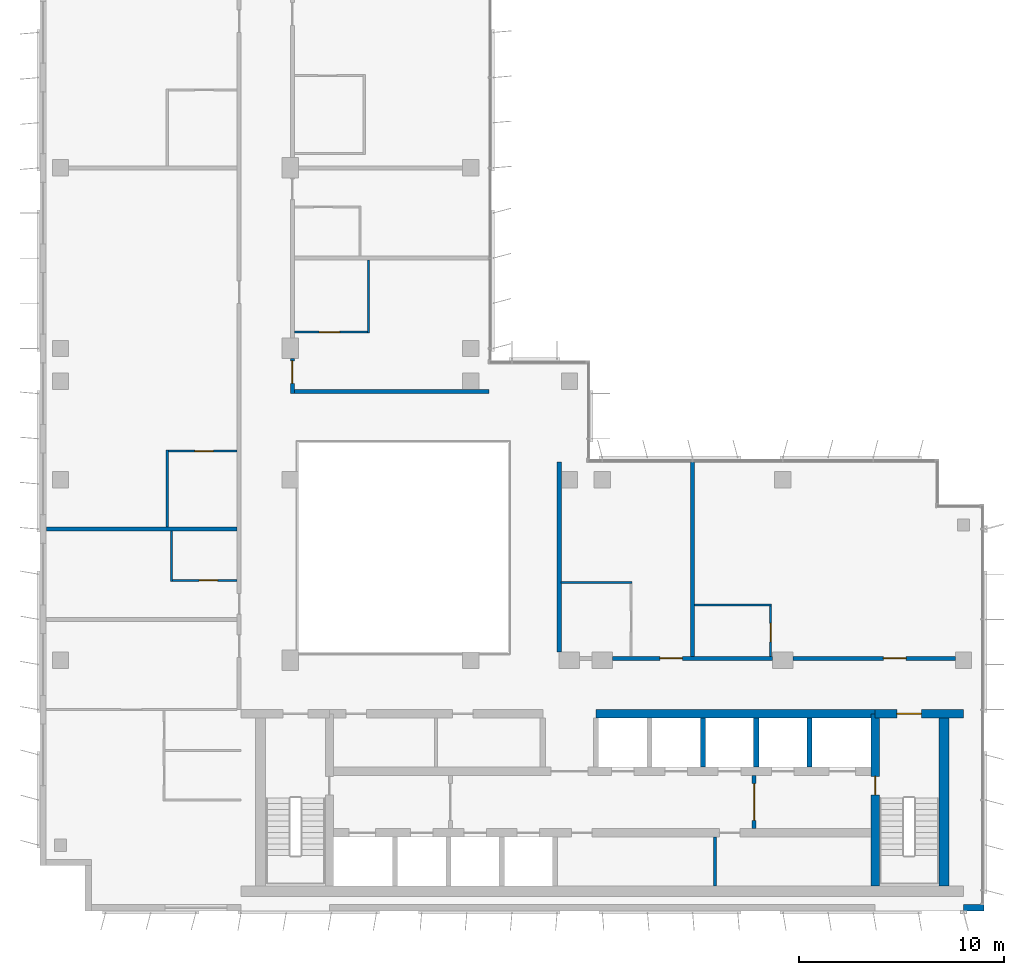
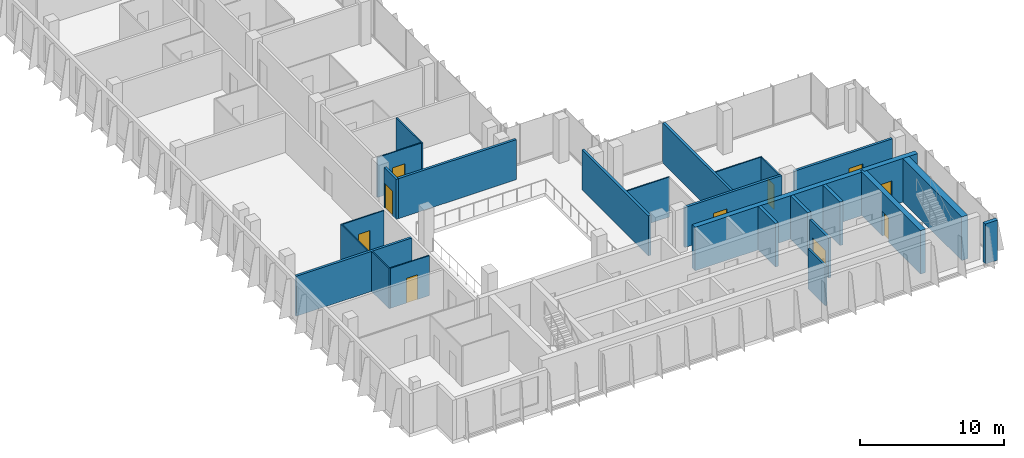
# One storey, part 10 of 15: 26 walls, 10 doors, 10 openings.
"""IFC4 building model written with IfcOpenShell, lengths in metres."""

from ifc_helpers import new_model, si_unit, direction, frame, frame_2d, origin, place, context, subcontext, project, spatial, rectangle, extrude, material, layer, layer_set, type_object, element, fill, save


model = new_model("IFC4")

# Units and contexts
model_context = context("Model", 3, precision=1e-05, world=origin(), true_north=direction((0.0, 1.0)))
body_context = subcontext(model_context, "Body", "Model", "MODEL_VIEW")
ifc_project = project(units=[si_unit("LENGTHUNIT", "METRE"), si_unit("AREAUNIT", "SQUARE_METRE"), si_unit("VOLUMEUNIT", "CUBIC_METRE"), si_unit("PLANEANGLEUNIT", "RADIAN"), si_unit("MASSUNIT", "GRAM", prefix="KILO")], contexts=[model_context])

# Site, building, storey
site_placement = place(None, origin())
site = spatial("IfcSite", under=ifc_project, at=site_placement, CompositionType="ELEMENT")
building_placement = place(site_placement, origin())
building = spatial("IfcBuilding", under=site, at=building_placement, Name="Kemantara Hotel Tower", CompositionType="ELEMENT")
storey_placement = place(building_placement, frame((0.0, 0.0, 230.199951171875)))
storey = spatial("IfcBuildingStorey", under=building, at=storey_placement, Name="L57", CompositionType="ELEMENT", Elevation=230.199951171875)

# Walls
ifc_material_1 = material(Name="Bronze anodised aluminium cladding on insulated steel stud wall", Category="steel")
ifc_layer_1 = layer(ifc_material_1, 0.300048828125)
ifc_layer_set_1 = layer_set([ifc_layer_1], Name="Bronze anodised aluminium cladding on insulated steel stud wall")
wall_type_1 = type_object("IfcWallType", Name="BRONZE METAL-CLAD EXTERNAL WALL 300", PredefinedType="STANDARD", material=ifc_layer_set_1)
wall_1_placement = place(storey_placement, frame((45.0, 0.14990234375, 0.0), z_axis=(0.0, 0.0, 1.0), x_axis=(1.0, 0.0, 0.0)))
element("IfcWall", 1, at=wall_1_placement, inside=storey, type_object=wall_type_1, Name="EXTERNAL WALL L57 T4-R08-3", PredefinedType="STANDARD", context=body_context, shape_type="SweptSolid", body=[
    extrude(rectangle(XDim=1.0, YDim=0.300048828125, at=frame_2d((0.5, 0.0))), origin(), (0.0, 0.0, 1.0), 3.400146484375),
])
ifc_material_2 = material(Name="Concrete fc 60 MPa", Category="concrete")
ifc_layer_2 = layer(ifc_material_2, 0.25)
ifc_layer_set_2 = layer_set([ifc_layer_2], Name="Concrete fc 60 MPa")
wall_type_2 = type_object("IfcWallType", Name="CORE WALL 250 FC60", PredefinedType="SHEAR", material=ifc_layer_set_2)
for number, where, z_axis, x_axis, name in (
    (2, (32.300048828125, 7.0, 0.0), (0.0, 0.0, 1.0), (0.0, 1.0, 0.0), "CORE WALL CW-DN32.3"),
    (3, (34.89990234375, 7.0, 0.0), (0.0, 0.0, 1.0), (0.0, 1.0, 0.0), "CORE WALL CW-DN34.9"),
    (4, (37.5, 7.0, 0.0), (0.0, 0.0, 1.0), (0.0, 1.0, 0.0), "CORE WALL CW-DN37.5"),
):
    element("IfcWall", number, at=place(storey_placement, frame(where, z_axis=z_axis, x_axis=x_axis)), inside=storey, type_object=wall_type_2, Name=name, PredefinedType="SHEAR", context=body_context, shape_type="SweptSolid", body=[
        extrude(rectangle(XDim=2.39990234375, YDim=0.25, at=frame_2d((1.199951171875, 0.0))), origin(), (0.0, 0.0, 1.0), 3.699951171875),
    ])

# Wall, opening, door
ifc_layer_3 = layer(ifc_material_2, 0.39990234375)
ifc_layer_set_3 = layer_set([ifc_layer_3], Name="Concrete fc 60 MPa")
wall_type_3 = type_object("IfcWallType", Name="CORE WALL 400 FC60", PredefinedType="SHEAR", material=ifc_layer_set_3)
wall_2_placement = place(storey_placement, frame((40.699951171875, 9.60009765625, 0.0), z_axis=(0.0, 0.0, 1.0), x_axis=(1.0, 0.0, 0.0)))
wall_2 = element("IfcWall", 5, at=wall_2_placement, inside=storey, type_object=wall_type_3, Name="CORE WALL CW-N2", PredefinedType="SHEAR", context=body_context, shape_type="SweptSolid", body=[
    extrude(rectangle(XDim=4.300048828125, YDim=0.39990234375, at=frame_2d((2.14990234375, 0.0))), origin(), (0.0, 0.0, 1.0), 3.699951171875),
])
opening_1_placement = place(wall_2_placement, frame((1.050048828125, 0.0, 0.0)))
opening_1 = element("IfcOpeningElement", 6, at=opening_1_placement, cuts=wall_2, Name="Opening C35-ST2-C", PredefinedType="OPENING", context=body_context, shape_type="SweptSolid", body=[
    extrude(rectangle(XDim=1.199951171875, YDim=2.10009765625, at=frame_2d((0.60009765625, 1.050048828125))), frame((0.0, 0.2099609375, 0.0), z_axis=(0.0, -1.0, 0.0), x_axis=(1.0, 0.0, 0.0)), (0.0, 0.0, 1.0), 0.419921875),
])
ifc_material_3 = material(Name="Steel fire door", Category="steel")
door_type_1 = type_object("IfcDoorType", Name="Fire door FD90 1200 x 2100", OperationType="NOTDEFINED", PredefinedType="DOOR", material=ifc_material_3)
door_1_placement = place(opening_1_placement, frame((1.199951171875, 0.0, 0.0), z_axis=(0.0, 0.0, 1.0), x_axis=(-1.0, 0.0, 0.0)))
door_1 = element("IfcDoor", 7, at=door_1_placement, inside=storey, type_object=door_type_1, Name="Stair ST2 door to corridor", OperationType="SINGLE_SWING_RIGHT", OverallHeight=2.10009765625, OverallWidth=1.199951171875, PredefinedType="DOOR", context=body_context, shape_type="SweptSolid", body=[
    extrude(rectangle(XDim=1.199951171875, YDim=2.10009765625, at=frame_2d((0.60009765625, 1.050048828125))), frame((0.0, 0.02490234375, 0.0), z_axis=(0.0, -1.0, 0.0), x_axis=(1.0, 0.0, 0.0)), (0.0, 0.0, 1.0), 0.050048828125),
])
fill(opening_1, door_1)

# Wall
wall_3_placement = place(storey_placement, frame((27.10009765625, 9.60009765625, 0.0), z_axis=(0.0, 0.0, 1.0), x_axis=(1.0, 0.0, 0.0)))
element("IfcWall", 8, at=wall_3_placement, inside=storey, type_object=wall_type_3, Name="CORE WALL CW-NN2", PredefinedType="SHEAR", context=body_context, shape_type="SweptSolid", body=[
    extrude(rectangle(XDim=13.599853515625, YDim=0.39990234375, at=frame_2d((6.7998046875, 0.0))), origin(), (0.0, 0.0, 1.0), 3.699951171875),
])

# Wall, opening, door
wall_4_placement = place(storey_placement, frame((40.699951171875, 1.199951171875, 0.0), z_axis=(0.0, 0.0, 1.0), x_axis=(0.0, 1.0, 0.0)))
wall_4 = element("IfcWall", 9, at=wall_4_placement, inside=storey, type_object=wall_type_3, Name="CORE WALL CW-ST2W", PredefinedType="SHEAR", context=body_context, shape_type="SweptSolid", body=[
    extrude(rectangle(XDim=8.400146484375, YDim=0.39990234375, at=frame_2d((4.2001953125, 0.0))), origin(), (0.0, 0.0, 1.0), 3.699951171875),
])
opening_2_placement = place(wall_4_placement, frame((4.449951171875, 0.0, 0.0)))
opening_2 = element("IfcOpeningElement", 10, at=opening_2_placement, cuts=wall_4, Name="Opening C35-ST2-F", PredefinedType="OPENING", context=body_context, shape_type="SweptSolid", body=[
    extrude(rectangle(XDim=0.89990234375, YDim=2.10009765625, at=frame_2d((0.449951171875, 1.050048828125))), frame((0.0, 0.2099609375, 0.0), z_axis=(0.0, -1.0, 0.0), x_axis=(1.0, 0.0, 0.0)), (0.0, 0.0, 1.0), 0.419921875),
])
door_type_2 = type_object("IfcDoorType", Name="Fire door FD90 900 x 2100", OperationType="NOTDEFINED", PredefinedType="DOOR", material=ifc_material_3)
door_2_placement = place(opening_2_placement, frame((0.89990234375, 0.0, 0.0), z_axis=(0.0, 0.0, 1.0), x_axis=(-1.0, 0.0, 0.0)))
door_2 = element("IfcDoor", 11, at=door_2_placement, inside=storey, type_object=door_type_2, Name="Stair ST2 door to firefighting lobby", OperationType="SINGLE_SWING_LEFT", OverallHeight=2.10009765625, OverallWidth=0.89990234375, PredefinedType="DOOR", context=body_context, shape_type="SweptSolid", body=[
    extrude(rectangle(XDim=0.89990234375, YDim=2.10009765625, at=frame_2d((0.449951171875, 1.050048828125))), frame((0.0, 0.02490234375, 0.0), z_axis=(0.0, -1.0, 0.0), x_axis=(1.0, 0.0, 0.0)), (0.0, 0.0, 1.0), 0.050048828125),
])
fill(opening_2, door_2)

# Wall
ifc_layer_4 = layer(ifc_material_2, 0.5)
ifc_layer_set_4 = layer_set([ifc_layer_4], Name="Concrete fc 60 MPa")
wall_type_4 = type_object("IfcWallType", Name="CORE WALL 500 FC60", PredefinedType="SHEAR", material=ifc_layer_set_4)
wall_5_placement = place(storey_placement, frame((44.050048828125, 1.199951171875, 0.0), z_axis=(0.0, 0.0, 1.0), x_axis=(0.0, 1.0, 0.0)))
element("IfcWall", 12, at=wall_5_placement, inside=storey, type_object=wall_type_4, Name="CORE WALL CW-E", PredefinedType="SHEAR", context=body_context, shape_type="SweptSolid", body=[
    extrude(rectangle(XDim=8.60009765625, YDim=0.5, at=frame_2d((4.300048828125, 0.0))), origin(), (0.0, 0.0, 1.0), 3.699951171875),
])

# Wall, opening, door
ifc_material_4 = material(Name="Gypsum board partition, steel studs and mineral wool, 200 mm", Category="steel")
ifc_layer_5 = layer(ifc_material_4, 0.199951171875)
ifc_layer_set_5 = layer_set([ifc_layer_5], Name="Gypsum board partition, steel studs and mineral wool, 200 mm")
wall_type_5 = type_object("IfcWallType", Name="CORRIDOR WALL 200", PredefinedType="PARTITIONING", material=ifc_layer_set_5)
wall_6_placement = place(storey_placement, frame((27.900146484375, 12.300048828125, 0.0), z_axis=(0.0, 0.0, 1.0), x_axis=(1.0, 0.0, 0.0)))
wall_6 = element("IfcWall", 13, at=wall_6_placement, inside=storey, type_object=wall_type_5, Name="CORRIDOR WALL 200 002", PredefinedType="PARTITIONING", context=body_context, shape_type="SweptSolid", body=[
    extrude(rectangle(XDim=7.7998046875, YDim=0.199951171875, at=frame_2d((3.89990234375, 0.0))), origin(), (0.0, 0.0, 1.0), 3.400146484375),
])
opening_3_placement = place(wall_6_placement, frame((2.2998046875, 0.0, 0.0)))
opening_3 = element("IfcOpeningElement", 14, at=opening_3_placement, cuts=wall_6, Name="Opening F28-001", PredefinedType="OPENING", context=body_context, shape_type="SweptSolid", body=[
    extrude(rectangle(XDim=1.10009765625, YDim=2.10009765625, at=frame_2d((0.550048828125, 1.050048828125))), frame((0.0, 0.10986328125, 0.0), z_axis=(0.0, -1.0, 0.0), x_axis=(1.0, 0.0, 0.0)), (0.0, 0.0, 1.0), 0.219970703125),
])
ifc_material_5 = material(Name="Hardwood veneer door leaf with steel frame", Category="steel")
door_type_3 = type_object("IfcDoorType", Name="GUEST ROOM DOOR 1100 X 2100 FD30S", OperationType="NOTDEFINED", PredefinedType="DOOR", material=ifc_material_5)
door_3_placement = place(opening_3_placement, origin())
door_3 = element("IfcDoor", 15, at=door_3_placement, inside=storey, type_object=door_type_3, Name="GUEST ROOM DOOR F28-001", OperationType="SINGLE_SWING_RIGHT", OverallHeight=2.10009765625, OverallWidth=1.10009765625, PredefinedType="DOOR", context=body_context, shape_type="SweptSolid", body=[
    extrude(rectangle(XDim=1.10009765625, YDim=2.10009765625, at=frame_2d((0.550048828125, 1.050048828125))), frame((0.0, 0.02490234375, 0.0), z_axis=(0.0, -1.0, 0.0), x_axis=(1.0, 0.0, 0.0)), (0.0, 0.0, 1.0), 0.050048828125),
])
fill(opening_3, door_3)

wall_7_placement = place(storey_placement, frame((36.7001953125, 12.300048828125, 0.0), z_axis=(0.0, 0.0, 1.0), x_axis=(1.0, 0.0, 0.0)))
wall_7 = element("IfcWall", 16, at=wall_7_placement, inside=storey, type_object=wall_type_5, Name="CORRIDOR WALL 200 003", PredefinedType="PARTITIONING", context=body_context, shape_type="SweptSolid", body=[
    extrude(rectangle(XDim=7.899658203125, YDim=0.199951171875, at=frame_2d((3.94970703125, 0.0))), origin(), (0.0, 0.0, 1.0), 3.400146484375),
])
opening_4_placement = place(wall_7_placement, frame((4.39990234375, 0.0, 0.0)))
opening_4 = element("IfcOpeningElement", 17, at=opening_4_placement, cuts=wall_7, Name="Opening F28-003", PredefinedType="OPENING", context=body_context, shape_type="SweptSolid", body=[
    extrude(rectangle(XDim=1.10009765625, YDim=2.10009765625, at=frame_2d((0.550048828125, 1.050048828125))), frame((0.0, 0.10986328125, 0.0), z_axis=(0.0, -1.0, 0.0), x_axis=(1.0, 0.0, 0.0)), (0.0, 0.0, 1.0), 0.219970703125),
])
door_type_4 = type_object("IfcDoorType", Name="SUITE ENTRANCE DOOR 1100 X 2100 FD30S", OperationType="NOTDEFINED", PredefinedType="DOOR", material=ifc_material_5)
door_4_placement = place(opening_4_placement, origin())
door_4 = element("IfcDoor", 18, at=door_4_placement, inside=storey, type_object=door_type_4, Name="SUITE ENTRANCE DOOR F28-003", OperationType="SINGLE_SWING_RIGHT", OverallHeight=2.10009765625, OverallWidth=1.10009765625, PredefinedType="DOOR", context=body_context, shape_type="SweptSolid", body=[
    extrude(rectangle(XDim=1.10009765625, YDim=2.10009765625, at=frame_2d((0.550048828125, 1.050048828125))), frame((0.0, 0.02490234375, 0.0), z_axis=(0.0, -1.0, 0.0), x_axis=(1.0, 0.0, 0.0)), (0.0, 0.0, 1.0), 0.050048828125),
])
fill(opening_4, door_4)

wall_8_placement = place(storey_placement, frame((12.300048828125, 26.89990234375, 0.0), z_axis=(0.0, 0.0, 1.0), x_axis=(0.0, -1.0, 0.0)))
wall_8 = element("IfcWall", 19, at=wall_8_placement, inside=storey, type_object=wall_type_5, Name="CORRIDOR WALL 200 015", PredefinedType="PARTITIONING", context=body_context, shape_type="SweptSolid", body=[
    extrude(rectangle(XDim=1.699951171875, YDim=0.199951171875, at=frame_2d((0.85009765625, 0.0))), origin(), (0.0, 0.0, 1.0), 3.400146484375),
])
opening_5_placement = place(wall_8_placement, frame((0.099853515625, 0.0, 0.0)))
opening_5 = element("IfcOpeningElement", 20, at=opening_5_placement, cuts=wall_8, Name="Opening F28-019", PredefinedType="OPENING", context=body_context, shape_type="SweptSolid", body=[
    extrude(rectangle(XDim=1.10009765625, YDim=2.10009765625, at=frame_2d((0.550048828125, 1.050048828125))), frame((0.0, 0.10986328125, 0.0), z_axis=(0.0, -1.0, 0.0), x_axis=(1.0, 0.0, 0.0)), (0.0, 0.0, 1.0), 0.219970703125),
])
door_5_placement = place(opening_5_placement, origin())
door_5 = element("IfcDoor", 21, at=door_5_placement, inside=storey, type_object=door_type_3, Name="GUEST ROOM DOOR F28-019", OperationType="SINGLE_SWING_RIGHT", OverallHeight=2.10009765625, OverallWidth=1.10009765625, PredefinedType="DOOR", context=body_context, shape_type="SweptSolid", body=[
    extrude(rectangle(XDim=1.10009765625, YDim=2.10009765625, at=frame_2d((0.550048828125, 1.050048828125))), frame((0.0, 0.02490234375, 0.0), z_axis=(0.0, -1.0, 0.0), x_axis=(1.0, 0.0, 0.0)), (0.0, 0.0, 1.0), 0.050048828125),
])
fill(opening_5, door_5)

# Walls
ifc_layer_6 = layer(ifc_material_4, 0.199951171875)
ifc_layer_set_6 = layer_set([ifc_layer_6], Name="Gypsum board partition, steel studs and mineral wool, 200 mm")
wall_type_6 = type_object("IfcWallType", Name="GUEST ROOM PARTY WALL 200", PredefinedType="PARTITIONING", material=ifc_layer_set_6)
wall_9_placement = place(storey_placement, frame((25.300048828125, 12.60009765625, 0.0), z_axis=(0.0, 0.0, 1.0), x_axis=(0.0, 1.0, 0.0)))
element("IfcWall", 22, at=wall_9_placement, inside=storey, type_object=wall_type_6, Name="GUEST ROOM PARTY WALL 200 004", PredefinedType="PARTITIONING", context=body_context, shape_type="SweptSolid", body=[
    extrude(rectangle(XDim=9.27001953125, YDim=0.199951171875, at=frame_2d((4.635009765625, 0.0))), origin(), (0.0, 0.0, 1.0), 3.400146484375),
])
wall_10_placement = place(storey_placement, frame((31.800048828125, 12.39990234375, 0.0), z_axis=(0.0, 0.0, 1.0), x_axis=(0.0, 1.0, 0.0)))
element("IfcWall", 23, at=wall_10_placement, inside=storey, type_object=wall_type_6, Name="GUEST ROOM PARTY WALL 200 005", PredefinedType="PARTITIONING", context=body_context, shape_type="SweptSolid", body=[
    extrude(rectangle(XDim=9.47021484375, YDim=0.199951171875, at=frame_2d((4.735107421875, 0.0))), origin(), (0.0, 0.0, 1.0), 3.400146484375),
])
wall_11_placement = place(storey_placement, frame((0.31005859375, 18.60009765625, 0.0), z_axis=(0.0, 0.0, 1.0), x_axis=(1.0, 0.0, 0.0)))
element("IfcWall", 24, at=wall_11_placement, inside=storey, type_object=wall_type_6, Name="GUEST ROOM PARTY WALL 200 009", PredefinedType="PARTITIONING", context=body_context, shape_type="SweptSolid", body=[
    extrude(rectangle(XDim=9.2900390625, YDim=0.199951171875, at=frame_2d((4.64501953125, 0.0))), origin(), (0.0, 0.0, 1.0), 3.400146484375),
])
wall_12_placement = place(storey_placement, frame((12.39990234375, 25.300048828125, 0.0), z_axis=(0.0, 0.0, 1.0), x_axis=(1.0, 0.0, 0.0)))
element("IfcWall", 25, at=wall_12_placement, inside=storey, type_object=wall_type_6, Name="GUEST ROOM PARTY WALL 200 020", PredefinedType="PARTITIONING", context=body_context, shape_type="SweptSolid", body=[
    extrude(rectangle(XDim=9.47021484375, YDim=0.199951171875, at=frame_2d((4.735107421875, 0.0))), origin(), (0.0, 0.0, 1.0), 3.400146484375),
])
ifc_material_6 = material(Name="Gypsum board partition")
ifc_layer_7 = layer(ifc_material_6, 0.14990234375)
ifc_layer_set_7 = layer_set([ifc_layer_7], Name="Gypsum board partition")
wall_type_7 = type_object("IfcWallType", Name="Gypsum board partition 150 mm", PredefinedType="PARTITIONING", material=ifc_layer_set_7)
wall_13_placement = place(storey_placement, frame((32.89990234375, 1.199951171875, 0.0), z_axis=(0.0, 0.0, 1.0), x_axis=(0.0, 1.0, 0.0)))
element("IfcWall", 26, at=wall_13_placement, inside=storey, type_object=wall_type_7, Name="Core room partition", PredefinedType="PARTITIONING", context=body_context, shape_type="SweptSolid", body=[
    extrude(rectangle(XDim=2.400146484375, YDim=0.14990234375, at=frame_2d((1.2001953125, 0.0))), origin(), (0.0, 0.0, 1.0), 3.400146484375),
])

# Wall, opening, door
ifc_material_7 = material(Name="Gypsum board shaft wall")
ifc_layer_8 = layer(ifc_material_7, 0.199951171875)
ifc_layer_set_8 = layer_set([ifc_layer_8], Name="Gypsum board shaft wall")
wall_type_8 = type_object("IfcWallType", Name="Gypsum board shaft wall 200 mm", PredefinedType="PARTITIONING", material=ifc_layer_set_8)
wall_14_placement = place(storey_placement, frame((34.800048828125, 4.0, 0.0), z_axis=(0.0, 0.0, 1.0), x_axis=(0.0, 1.0, 0.0)))
wall_14 = element("IfcWall", 27, at=wall_14_placement, inside=storey, type_object=wall_type_8, Name="Firefighting lobby partition east", PredefinedType="PARTITIONING", context=body_context, shape_type="SweptSolid", body=[
    extrude(rectangle(XDim=2.60009765625, YDim=0.199951171875, at=frame_2d((1.300048828125, 0.0))), origin(), (0.0, 0.0, 1.0), 3.400146484375),
])
opening_6_placement = place(wall_14_placement, frame((0.39990234375, 0.0, 0.0)))
opening_6 = element("IfcOpeningElement", 28, at=opening_6_placement, cuts=wall_14, Name="Opening C35-FFE", PredefinedType="OPENING", context=body_context, shape_type="SweptSolid", body=[
    extrude(rectangle(XDim=1.800048828125, YDim=2.10009765625, at=frame_2d((0.89990234375, 1.050048828125))), frame((0.0, 0.10986328125, 0.0), z_axis=(0.0, -1.0, 0.0), x_axis=(1.0, 0.0, 0.0)), (0.0, 0.0, 1.0), 0.219970703125),
])
door_type_5 = type_object("IfcDoorType", Name="Fire door pair FD60 1800 x 2100", OperationType="DOUBLE_DOOR_SINGLE_SWING", PredefinedType="DOOR", material=ifc_material_3)
door_6_placement = place(opening_6_placement, frame((1.800048828125, 0.0, 0.0), z_axis=(0.0, 0.0, 1.0), x_axis=(-1.0, 0.0, 0.0)))
door_6 = element("IfcDoor", 29, at=door_6_placement, inside=storey, type_object=door_type_5, Name="Firefighting lobby door east", OperationType="DOUBLE_DOOR_SINGLE_SWING", OverallHeight=2.10009765625, OverallWidth=1.800048828125, PredefinedType="DOOR", context=body_context, shape_type="SweptSolid", body=[
    extrude(rectangle(XDim=1.800048828125, YDim=2.10009765625, at=frame_2d((0.89990234375, 1.050048828125))), frame((0.0, 0.02490234375, 0.0), z_axis=(0.0, -1.0, 0.0), x_axis=(1.0, 0.0, 0.0)), (0.0, 0.0, 1.0), 0.050048828125),
])
fill(opening_6, door_6)

# Walls
ifc_material_8 = material(Name="Gypsum board partition on steel studs, 100 mm", Category="steel")
ifc_layer_9 = layer(ifc_material_8, 0.10009765625)
ifc_layer_set_9 = layer_set([ifc_layer_9], Name="Gypsum board partition on steel studs, 100 mm")
wall_type_9 = type_object("IfcWallType", Name="ROOM PARTITION 100", PredefinedType="PARTITIONING", material=ifc_layer_set_9)
wall_15_placement = place(storey_placement, frame((25.39990234375, 16.0, 0.0), z_axis=(0.0, 0.0, 1.0), x_axis=(1.0, 0.0, 0.0)))
element("IfcWall", 30, at=wall_15_placement, inside=storey, type_object=wall_type_9, Name="ROOM PARTITION 100 023", PredefinedType="PARTITIONING", context=body_context, shape_type="SweptSolid", body=[
    extrude(rectangle(XDim=3.4501953125, YDim=0.10009765625, at=frame_2d((1.72509765625, 0.0))), origin(), (0.0, 0.0, 1.0), 3.400146484375),
])
wall_16_placement = place(storey_placement, frame((31.89990234375, 14.89990234375, 0.0), z_axis=(0.0, 0.0, 1.0), x_axis=(1.0, 0.0, 0.0)))
element("IfcWall", 31, at=wall_16_placement, inside=storey, type_object=wall_type_9, Name="ROOM PARTITION 100 025", PredefinedType="PARTITIONING", context=body_context, shape_type="SweptSolid", body=[
    extrude(rectangle(XDim=3.75, YDim=0.10009765625, at=frame_2d((1.875, 0.0))), origin(), (0.0, 0.0, 1.0), 3.400146484375),
])

# Wall, opening, door
wall_17_placement = place(storey_placement, frame((35.60009765625, 12.39990234375, 0.0), z_axis=(0.0, 0.0, 1.0), x_axis=(0.0, 1.0, 0.0)))
wall_17 = element("IfcWall", 32, at=wall_17_placement, inside=storey, type_object=wall_type_9, Name="ROOM PARTITION 100 026", PredefinedType="PARTITIONING", context=body_context, shape_type="SweptSolid", body=[
    extrude(rectangle(XDim=2.4501953125, YDim=0.10009765625, at=frame_2d((1.22509765625, 0.0))), origin(), (0.0, 0.0, 1.0), 3.400146484375),
])
opening_7_placement = place(wall_17_placement, frame((0.699951171875, 0.0, 0.0)))
opening_7 = element("IfcOpeningElement", 33, at=opening_7_placement, cuts=wall_17, Name="Opening F28-004", PredefinedType="OPENING", context=body_context, shape_type="SweptSolid", body=[
    extrude(rectangle(XDim=0.89990234375, YDim=2.10009765625, at=frame_2d((0.449951171875, 1.050048828125))), frame((0.0, 0.06005859375, 0.0), z_axis=(0.0, -1.0, 0.0), x_axis=(1.0, 0.0, 0.0)), (0.0, 0.0, 1.0), 0.1201171875),
])
door_type_6 = type_object("IfcDoorType", Name="BATHROOM DOOR 900 X 2100", OperationType="NOTDEFINED", PredefinedType="DOOR", material=ifc_material_5)
door_7_placement = place(opening_7_placement, origin())
door_7 = element("IfcDoor", 34, at=door_7_placement, inside=storey, type_object=door_type_6, Name="BATHROOM DOOR F28-004", OperationType="SINGLE_SWING_LEFT", OverallHeight=2.10009765625, OverallWidth=0.89990234375, PredefinedType="DOOR", context=body_context, shape_type="SweptSolid", body=[
    extrude(rectangle(XDim=0.89990234375, YDim=2.10009765625, at=frame_2d((0.449951171875, 1.050048828125))), frame((0.0, 0.02490234375, 0.0), z_axis=(0.0, -1.0, 0.0), x_axis=(1.0, 0.0, 0.0)), (0.0, 0.0, 1.0), 0.050048828125),
])
fill(opening_7, door_7)

# Wall
wall_18_placement = place(storey_placement, frame((6.39990234375, 16.050048828125, 0.0), z_axis=(0.0, 0.0, 1.0), x_axis=(0.0, 1.0, 0.0)))
element("IfcWall", 35, at=wall_18_placement, inside=storey, type_object=wall_type_9, Name="ROOM PARTITION 100 031", PredefinedType="PARTITIONING", context=body_context, shape_type="SweptSolid", body=[
    extrude(rectangle(XDim=2.449951171875, YDim=0.10009765625, at=frame_2d((1.22509765625, 0.0))), origin(), (0.0, 0.0, 1.0), 3.400146484375),
])

# Wall, opening, door
wall_19_placement = place(storey_placement, frame((6.449951171875, 16.10009765625, 0.0), z_axis=(0.0, 0.0, 1.0), x_axis=(1.0, 0.0, 0.0)))
wall_19 = element("IfcWall", 36, at=wall_19_placement, inside=storey, type_object=wall_type_9, Name="ROOM PARTITION 100 033", PredefinedType="PARTITIONING", context=body_context, shape_type="SweptSolid", body=[
    extrude(rectangle(XDim=3.150146484375, YDim=0.10009765625, at=frame_2d((1.5751953125, 0.0))), origin(), (0.0, 0.0, 1.0), 3.400146484375),
])
opening_8_placement = place(wall_19_placement, frame((1.300048828125, 0.0, 0.0)))
opening_8 = element("IfcOpeningElement", 37, at=opening_8_placement, cuts=wall_19, Name="Opening F28-010", PredefinedType="OPENING", context=body_context, shape_type="SweptSolid", body=[
    extrude(rectangle(XDim=0.89990234375, YDim=2.10009765625, at=frame_2d((0.449951171875, 1.050048828125))), frame((0.0, 0.06005859375, 0.0), z_axis=(0.0, -1.0, 0.0), x_axis=(1.0, 0.0, 0.0)), (0.0, 0.0, 1.0), 0.1201171875),
])
door_8_placement = place(opening_8_placement, origin())
door_8 = element("IfcDoor", 38, at=door_8_placement, inside=storey, type_object=door_type_6, Name="BATHROOM DOOR F28-010", OperationType="SINGLE_SWING_RIGHT", OverallHeight=2.10009765625, OverallWidth=0.89990234375, PredefinedType="DOOR", context=body_context, shape_type="SweptSolid", body=[
    extrude(rectangle(XDim=0.89990234375, YDim=2.10009765625, at=frame_2d((0.449951171875, 1.050048828125))), frame((0.0, 0.02490234375, 0.0), z_axis=(0.0, -1.0, 0.0), x_axis=(1.0, 0.0, 0.0)), (0.0, 0.0, 1.0), 0.050048828125),
])
fill(opening_8, door_8)

# Wall
wall_20_placement = place(storey_placement, frame((6.199951171875, 18.699951171875, 0.0), z_axis=(0.0, 0.0, 1.0), x_axis=(0.0, 1.0, 0.0)))
element("IfcWall", 39, at=wall_20_placement, inside=storey, type_object=wall_type_9, Name="ROOM PARTITION 100 034", PredefinedType="PARTITIONING", context=body_context, shape_type="SweptSolid", body=[
    extrude(rectangle(XDim=3.75, YDim=0.10009765625, at=frame_2d((1.875, 0.0))), origin(), (0.0, 0.0, 1.0), 3.400146484375),
])

# Wall, opening, door
wall_21_placement = place(storey_placement, frame((9.60009765625, 22.39990234375, 0.0), z_axis=(0.0, 0.0, 1.0), x_axis=(-1.0, 0.0, 0.0)))
wall_21 = element("IfcWall", 40, at=wall_21_placement, inside=storey, type_object=wall_type_9, Name="ROOM PARTITION 100 037", PredefinedType="PARTITIONING", context=body_context, shape_type="SweptSolid", body=[
    extrude(rectangle(XDim=3.35009765625, YDim=0.10009765625, at=frame_2d((1.675048828125, 0.0))), origin(), (0.0, 0.0, 1.0), 3.400146484375),
])
opening_9_placement = place(wall_21_placement, frame((1.14990234375, 0.0, 0.0)))
opening_9 = element("IfcOpeningElement", 41, at=opening_9_placement, cuts=wall_21, Name="Opening F28-012", PredefinedType="OPENING", context=body_context, shape_type="SweptSolid", body=[
    extrude(rectangle(XDim=0.89990234375, YDim=2.10009765625, at=frame_2d((0.449951171875, 1.050048828125))), frame((0.0, 0.06005859375, 0.0), z_axis=(0.0, -1.0, 0.0), x_axis=(1.0, 0.0, 0.0)), (0.0, 0.0, 1.0), 0.1201171875),
])
door_9_placement = place(opening_9_placement, origin())
door_9 = element("IfcDoor", 42, at=door_9_placement, inside=storey, type_object=door_type_6, Name="BATHROOM DOOR F28-012", OperationType="SINGLE_SWING_LEFT", OverallHeight=2.10009765625, OverallWidth=0.89990234375, PredefinedType="DOOR", context=body_context, shape_type="SweptSolid", body=[
    extrude(rectangle(XDim=0.89990234375, YDim=2.10009765625, at=frame_2d((0.449951171875, 1.050048828125))), frame((0.0, 0.02490234375, 0.0), z_axis=(0.0, -1.0, 0.0), x_axis=(1.0, 0.0, 0.0)), (0.0, 0.0, 1.0), 0.050048828125),
])
fill(opening_9, door_9)

# Wall
wall_22_placement = place(storey_placement, frame((16.0, 28.14990234375, 0.0), z_axis=(0.0, 0.0, 1.0), x_axis=(0.0, 1.0, 0.0)))
element("IfcWall", 43, at=wall_22_placement, inside=storey, type_object=wall_type_9, Name="ROOM PARTITION 100 041", PredefinedType="PARTITIONING", context=body_context, shape_type="SweptSolid", body=[
    extrude(rectangle(XDim=3.550048828125, YDim=0.10009765625, at=frame_2d((1.77490234375, 0.0))), origin(), (0.0, 0.0, 1.0), 3.400146484375),
])

# Wall, opening, door
wall_23_placement = place(storey_placement, frame((12.39990234375, 28.199951171875, 0.0), z_axis=(0.0, 0.0, 1.0), x_axis=(1.0, 0.0, 0.0)))
wall_23 = element("IfcWall", 44, at=wall_23_placement, inside=storey, type_object=wall_type_9, Name="ROOM PARTITION 100 042", PredefinedType="PARTITIONING", context=body_context, shape_type="SweptSolid", body=[
    extrude(rectangle(XDim=3.550048828125, YDim=0.10009765625, at=frame_2d((1.77490234375, 0.0))), origin(), (0.0, 0.0, 1.0), 3.400146484375),
])
opening_10_placement = place(wall_23_placement, frame((1.199951171875, 0.0, 0.0)))
opening_10 = element("IfcOpeningElement", 45, at=opening_10_placement, cuts=wall_23, Name="Opening F28-020", PredefinedType="OPENING", context=body_context, shape_type="SweptSolid", body=[
    extrude(rectangle(XDim=1.0, YDim=2.10009765625, at=frame_2d((0.5, 1.050048828125))), frame((0.0, 0.06005859375, 0.0), z_axis=(0.0, -1.0, 0.0), x_axis=(1.0, 0.0, 0.0)), (0.0, 0.0, 1.0), 0.1201171875),
])
door_type_7 = type_object("IfcDoorType", Name="BATHROOM DOOR 1000 X 2100", OperationType="NOTDEFINED", PredefinedType="DOOR", material=ifc_material_5)
door_10_placement = place(opening_10_placement, origin())
door_10 = element("IfcDoor", 46, at=door_10_placement, inside=storey, type_object=door_type_7, Name="BATHROOM DOOR F28-020", OperationType="SINGLE_SWING_LEFT", OverallHeight=2.10009765625, OverallWidth=1.0, PredefinedType="DOOR", context=body_context, shape_type="SweptSolid", body=[
    extrude(rectangle(XDim=1.0, YDim=2.10009765625, at=frame_2d((0.5, 1.050048828125))), frame((0.0, 0.02490234375, 0.0), z_axis=(0.0, -1.0, 0.0), x_axis=(1.0, 0.0, 0.0)), (0.0, 0.0, 1.0), 0.050048828125),
])
fill(opening_10, door_10)

save(model, "model.ifc")
